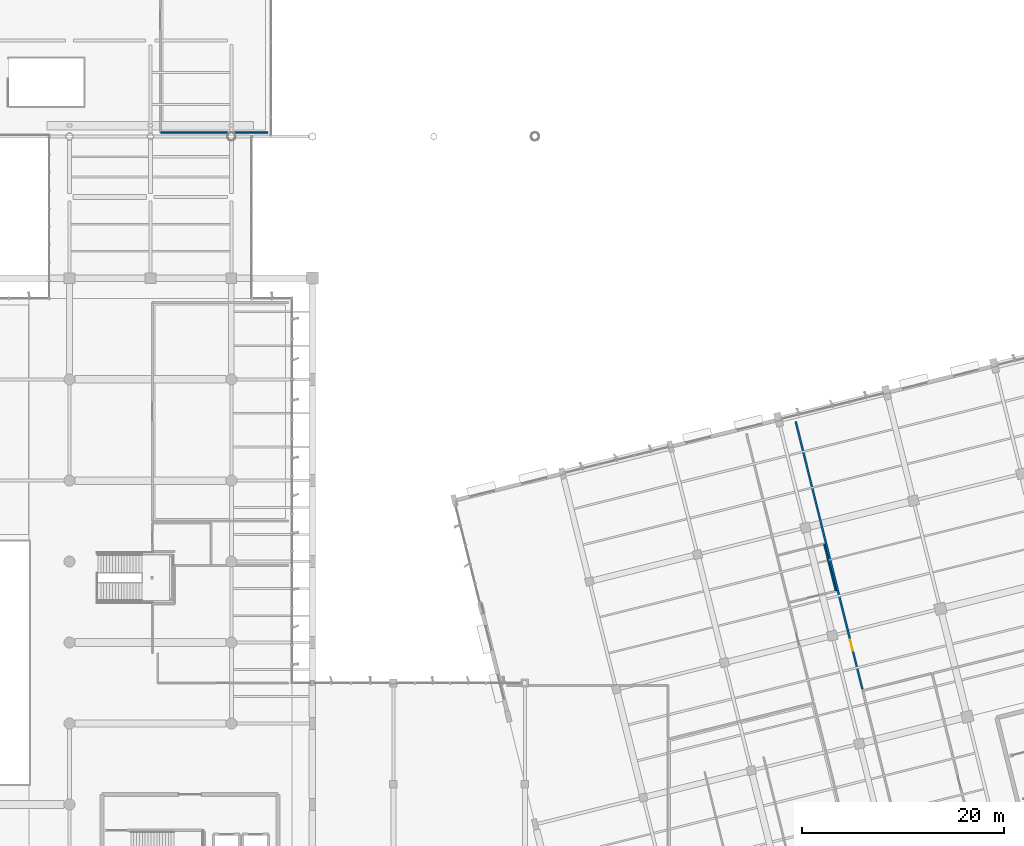
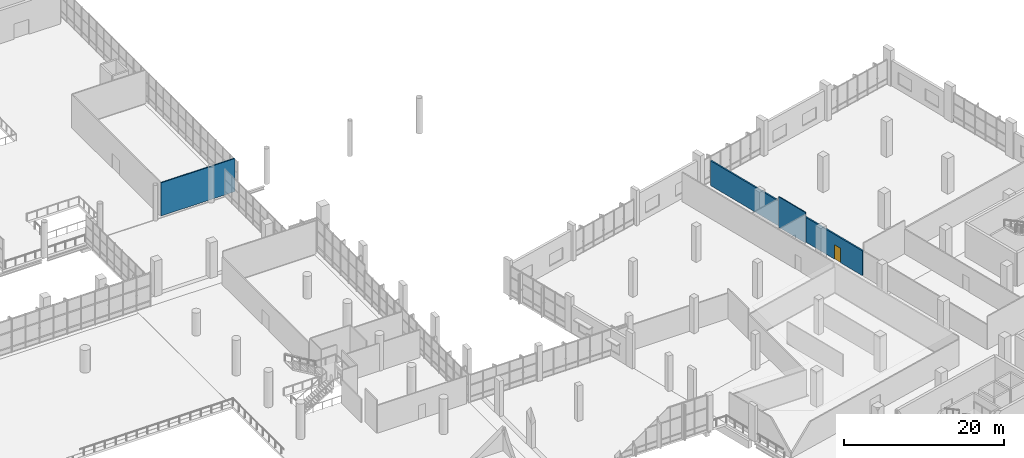
# One storey, part 147 of 176: 3 walls, 1 door, 1 opening.
"""IFC4 building model written with IfcOpenShell, lengths in metres."""

import ifcopenshell
import ifcopenshell.guid

model = None  # the IFC model being written
_history = None  # IfcOwnerHistory: only IFC2X3 demands one
_inside = {}  # id of a spatial element -> (the spatial element, [elements in it])
_under = {}  # id of a project, library or spatial element -> (it, [spatial elements below it])
_declared = {}  # id of a project -> (the project, [libraries it declares])
_typed = {}  # id of a type object -> (the type object, [elements of that type])
_made_of = {}  # id of a material, layer set ... -> (it, [elements and type objects made of it])


def new_model(schema):
    """Start an empty IFC model of exactly this schema.

    Asked for "IFC4X3", IfcOpenShell would pick the latest addendum, in which some entities
    have other attributes; the version numbers below select the first issue.
    IFC2X3 requires an IfcOwnerHistory on every rooted entity: one is made here for all.
    """
    global model, _history
    if schema == "IFC4X3":
        model = ifcopenshell.file(schema_version=(4, 3, 0, 0))
    else:
        model = ifcopenshell.file(schema=schema)
    _inside.clear()
    _under.clear()
    _declared.clear()
    _typed.clear()
    _made_of.clear()
    _history = None
    if model.schema == "IFC2X3":
        org = make("IfcOrganization", Name="unknown")
        user = make(
            "IfcPersonAndOrganization",
            ThePerson=make("IfcPerson", FamilyName="unknown"),
            TheOrganization=org,
        )
        app = make(
            "IfcApplication",
            ApplicationDeveloper=org,
            Version="unknown",
            ApplicationFullName="unknown",
            ApplicationIdentifier="unknown",
        )
        _history = make(
            "IfcOwnerHistory",
            OwningUser=user,
            OwningApplication=app,
            ChangeAction="ADDED",
            CreationDate=0,
        )
    return model


def make(cls, **values):
    """One entity of the class cls with the attributes given. An attribute that is None is left unset."""
    return model.create_entity(
        cls, **{name: value for name, value in values.items() if value is not None}
    )


def rooted(cls, **values):
    """An entity with a GlobalId (a new one), such as an element, a storey or a relation."""
    return make(cls, GlobalId=ifcopenshell.guid.new(), OwnerHistory=_history, **values)


def si_unit(unit_type, name, prefix=None):
    """IfcSIUnit, for example si_unit("LENGTHUNIT", "METRE", prefix="MILLI")."""
    return make("IfcSIUnit", UnitType=unit_type, Prefix=prefix, Name=name)


def assignment(units):
    """IfcUnitAssignment: the units of a project."""
    return None if units is None else make("IfcUnitAssignment", Units=units)


def point(xyz):
    """IfcCartesianPoint."""
    return None if xyz is None else make("IfcCartesianPoint", Coordinates=xyz)


def direction(xyz):
    """IfcDirection."""
    return None if xyz is None else make("IfcDirection", DirectionRatios=xyz)


def frame(location, z_axis=None, x_axis=None):
    """IfcAxis2Placement3D, a coordinate frame: its origin and axes. An axis left out is left unset."""
    return make(
        "IfcAxis2Placement3D",
        Location=point(location),
        Axis=direction(z_axis),
        RefDirection=direction(x_axis),
    )


def frame_2d(location, x_axis=None):
    """IfcAxis2Placement2D, a coordinate frame in the plane: its origin and x axis."""
    return make(
        "IfcAxis2Placement2D", Location=point(location), RefDirection=direction(x_axis)
    )


def origin():
    """The frame at (0, 0, 0) with its axes left unset."""
    return frame((0.0, 0.0, 0.0))


def place(relative_to, where):
    """IfcLocalPlacement: puts the frame where relative to a parent placement (None: the world)."""
    return make(
        "IfcLocalPlacement", PlacementRelTo=relative_to, RelativePlacement=where
    )


def context(
    kind, dimensions, precision=None, world=None, true_north=None, identifier=None
):
    """IfcGeometricRepresentationContext, for example the 3D "Model" context."""
    return make(
        "IfcGeometricRepresentationContext",
        ContextIdentifier=identifier,
        ContextType=kind,
        CoordinateSpaceDimension=dimensions,
        Precision=precision,
        WorldCoordinateSystem=world,
        TrueNorth=true_north,
    )


def subcontext(parent, identifier, kind, view, scale=None):
    """IfcGeometricRepresentationSubContext, for example "Body" below "Model"."""
    return make(
        "IfcGeometricRepresentationSubContext",
        ContextIdentifier=identifier,
        ContextType=kind,
        ParentContext=parent,
        TargetScale=scale,
        TargetView=view,
    )


def project(units=None, contexts=None):
    """IfcProject with its units and contexts."""
    return rooted(
        "IfcProject",
        Name="project",
        RepresentationContexts=contexts,
        UnitsInContext=assignment(units),
    )


def spatial(cls, under=None, at=None, **own):
    """A site, building, storey or space (cls), placed at a placement, below another one or the project."""
    s = rooted(cls, ObjectPlacement=at, **own)
    if under is not None:
        _under.setdefault(under.id(), (under, []))[1].append(s)
    return s


def profile(cls, at=None, kind="AREA", **sizes):
    """A parametric profile (cls). Its sizes go by their IFC names, for example OverallWidth=200.0."""
    return make(cls, ProfileType=kind, Position=at, **sizes)


def rectangle(**sizes):
    """IfcRectangleProfileDef."""
    return profile("IfcRectangleProfileDef", **sizes)


def extrude(swept, where, along, depth):
    """IfcExtrudedAreaSolid: the profile swept, set in the frame where, extruded along a direction by depth."""
    return make(
        "IfcExtrudedAreaSolid",
        SweptArea=swept,
        Position=where,
        ExtrudedDirection=direction(along),
        Depth=depth,
    )


def shape(context_of_items, identifier, shape_type, items):
    """IfcShapeRepresentation: the items that make up one representation, for example the "Body"."""
    return make(
        "IfcShapeRepresentation",
        ContextOfItems=context_of_items,
        RepresentationIdentifier=identifier,
        RepresentationType=shape_type,
        Items=items,
    )


def material(Name=None, Category=None):
    """IfcMaterial."""
    return make("IfcMaterial", Name=Name, Category=Category)


def layer(
    of_material, thickness, ventilated=None, Name=None, Category=None, Priority=None
):
    """IfcMaterialLayer: one layer of a wall or slab, of a material (None: an air gap)."""
    return make(
        "IfcMaterialLayer",
        Material=of_material,
        LayerThickness=thickness,
        IsVentilated=ventilated,
        Name=Name,
        Category=Category,
        Priority=Priority,
    )


def layer_set(layers, Name=None):
    """IfcMaterialLayerSet."""
    return make("IfcMaterialLayerSet", MaterialLayers=layers, LayerSetName=Name)


def made_of(thing, what):
    """Note that an element or type object is made of a material, layer set ...; save() writes the relation."""
    if what is not None:
        _made_of.setdefault(what.id(), (what, []))[1].append(thing)
    return thing


def type_object(cls, material=None, **own):
    """A type object (cls), such as IfcWallType, which elements share."""
    return made_of(rooted(cls, **own), material)


def element(
    cls,
    number,
    at=None,
    inside=None,
    cuts=None,
    type_object=None,
    material=None,
    context=None,
    identifier="Body",
    shape_type=None,
    held_by="IfcProductDefinitionShape",
    body=None,
    shapes=None,
    **own,
):
    """One element of the class cls, such as IfcWall. Its Tag is "e" and its number.

    at: its placement. inside: the storey or other place that contains it. cuts: it is an
    opening in that element (IfcRelVoidsElement). A single representation is given by context,
    identifier, shape_type and body (its items); several are given by shapes. held_by: the class
    of the entity that holds the representations. save() writes the other relations.
    """
    e = rooted(cls, Tag="e%d" % number, ObjectPlacement=at, **own)
    if body is not None:
        shapes = [shape(context, identifier, shape_type, body)]
    if shapes is not None:
        e.Representation = make(held_by, Representations=shapes)
    if inside is not None:
        _inside.setdefault(inside.id(), (inside, []))[1].append(e)
    if cuts is not None:
        rooted(
            "IfcRelVoidsElement", RelatingBuildingElement=cuts, RelatedOpeningElement=e
        )
    if type_object is not None:
        _typed.setdefault(type_object.id(), (type_object, []))[1].append(e)
    return made_of(e, material)


def fill(opening, filler):
    """IfcRelFillsElement: the door or window that sits in an opening."""
    return rooted(
        "IfcRelFillsElement",
        RelatingOpeningElement=opening,
        RelatedBuildingElement=filler,
    )


def aggregate(whole, parts):
    """IfcRelAggregates: a whole, such as a stair, and the parts it consists of."""
    return rooted("IfcRelAggregates", RelatingObject=whole, RelatedObjects=parts)


def save(model, path):
    """Write the relations noted so far, then the file.

    IfcRelAggregates (storeys below a building ...), IfcRelContainedInSpatialStructure (elements
    in a storey), IfcRelDefinesByType, IfcRelAssociatesMaterial and IfcRelDeclares: one each for
    every whole, place, type object, material and project.
    """
    for whole, parts in _under.values():
        aggregate(whole, parts)
    for where, things in _inside.values():
        rooted(
            "IfcRelContainedInSpatialStructure",
            RelatedElements=things,
            RelatingStructure=where,
        )
    for kind, things in _typed.values():
        rooted("IfcRelDefinesByType", RelatedObjects=things, RelatingType=kind)
    for what, things in _made_of.values():
        rooted("IfcRelAssociatesMaterial", RelatedObjects=things, RelatingMaterial=what)
    for by, libraries in _declared.values():
        rooted("IfcRelDeclares", RelatingContext=by, RelatedDefinitions=libraries)
    model.write(path)


model = new_model("IFC4")

# Units and contexts
model_context = context("Model", 3, precision=1e-05, world=origin(), true_north=direction((0.0, 1.0)))
body_context = subcontext(model_context, "Body", "Model", "MODEL_VIEW")
ifc_project = project(units=[si_unit("LENGTHUNIT", "METRE"), si_unit("AREAUNIT", "SQUARE_METRE"), si_unit("VOLUMEUNIT", "CUBIC_METRE"), si_unit("PLANEANGLEUNIT", "RADIAN"), si_unit("MASSUNIT", "GRAM", prefix="KILO")], contexts=[model_context])

# Site, building, storey
site_placement = place(None, origin())
site = spatial("IfcSite", under=ifc_project, at=site_placement, CompositionType="ELEMENT")
building_placement = place(site_placement, origin())
building = spatial("IfcBuilding", under=site, at=building_placement, Name="Khorjan Park Terminus", CompositionType="ELEMENT")
storey_placement = place(building_placement, frame((0.0, 0.0, 6.0)))
storey = spatial("IfcBuildingStorey", under=building, at=storey_placement, Name="L01", CompositionType="ELEMENT", Elevation=6.0)

# Walls
ifc_material_1 = material(Name="Moisture-Resistant Sanitary Partition")
ifc_layer_1 = layer(ifc_material_1, 0.14)
ifc_layer_set_1 = layer_set([ifc_layer_1], Name="Moisture-Resistant Sanitary Partition")
wall_type_1 = type_object("IfcWallType", Name="PT-14", PredefinedType="PARTITIONING", material=ifc_layer_set_1)
wall_1_placement = place(storey_placement, frame((186.5563, 61.7478, 0.0), z_axis=(0.0, 0.0, 1.0), x_axis=(0.241917925609, -0.970296716097, 0.0)))
element("IfcWall", 1, at=wall_1_placement, inside=storey, type_object=wall_type_1, Name="Interior acoustic partition PT-14 (L01-AWC)", PredefinedType="PARTITIONING", context=body_context, shape_type="SweptSolid", body=[
    extrude(rectangle(XDim=4.8, YDim=0.14, at=frame_2d((2.4, 0.0))), origin(), (0.0, 0.0, 1.0), 4.635),
])
ifc_material_2 = material(Name="Insulated Metal-Stud Acoustic Partition")
ifc_layer_2 = layer(ifc_material_2, 0.16)
ifc_layer_set_2 = layer_set([ifc_layer_2], Name="Insulated Metal-Stud Acoustic Partition")
wall_type_2 = type_object("IfcWallType", Name="PT-16", PredefinedType="PARTITIONING", material=ifc_layer_set_2)
wall_2_placement = place(storey_placement, frame((131.6, 102.4, 0.0), z_axis=(0.0, 0.0, 1.0), x_axis=(-1.0, 0.0, 0.0)))
element("IfcWall", 2, at=wall_2_placement, inside=storey, type_object=wall_type_2, Name="Interior acoustic partition PT-16 (L01-GTL)", PredefinedType="PARTITIONING", context=body_context, shape_type="SweptSolid", body=[
    extrude(rectangle(XDim=10.6, YDim=0.16, at=frame_2d((5.3, 0.0))), origin(), (0.0, 0.0, 1.0), 5.05),
])

# Wall, opening, door
ifc_material_3 = material(Name="Fire-Rated Acoustic Masonry & Drywall", Category="masonry")
ifc_layer_3 = layer(ifc_material_3, 0.2)
ifc_layer_set_3 = layer_set([ifc_layer_3], Name="Fire-Rated Acoustic Masonry & Drywall")
wall_type_3 = type_object("IfcWallType", Name="PT-20", PredefinedType="PARTITIONING", material=ifc_layer_set_3)
wall_3_placement = place(storey_placement, frame((190.3453, 47.3775, 0.0), z_axis=(0.0, 0.0, 1.0), x_axis=(-0.241921879243, 0.970295730354, 0.0)))
wall_3 = element("IfcWall", 3, at=wall_3_placement, inside=storey, type_object=wall_type_3, Name="Interior acoustic partition PT-20 (L01-AHU1)", PredefinedType="PARTITIONING", context=body_context, shape_type="SweptSolid", body=[
    extrude(rectangle(XDim=27.26, YDim=0.2, at=frame_2d((13.63, 0.0))), origin(), (0.0, 0.0, 1.0), 3.785),
])
opening_placement = place(wall_3_placement, frame((3.924, 0.0, 0.0)))
opening = element("IfcOpeningElement", 4, at=opening_placement, cuts=wall_3, Name="Opening FD-11", PredefinedType="OPENING", context=body_context, shape_type="SweptSolid", body=[
    extrude(rectangle(XDim=1.1, YDim=2.2, at=frame_2d((0.55, 1.1))), frame((0.0, 0.11, 0.0), z_axis=(0.0, -1.0, 0.0), x_axis=(1.0, 0.0, 0.0)), (0.0, 0.0, 1.0), 0.22),
])
ifc_material_4 = material(Name="Fire-Rated Steel Single Door", Category="steel")
door_type = type_object("IfcDoorType", Name="FD-11", OperationType="NOTDEFINED", PredefinedType="DOOR", material=ifc_material_4)
door_placement = place(opening_placement, origin())
door = element("IfcDoor", 5, at=door_placement, inside=storey, type_object=door_type, Name="Interior door FD-11 (L01-AHU1)", OperationType="SINGLE_SWING_RIGHT", OverallHeight=2.2, OverallWidth=1.1, PredefinedType="DOOR", context=body_context, shape_type="SweptSolid", body=[
    extrude(rectangle(XDim=1.1, YDim=2.2, at=frame_2d((0.55, 1.1))), frame((0.0, 0.025, 0.0), z_axis=(0.0, -1.0, 0.0), x_axis=(1.0, 0.0, 0.0)), (0.0, 0.0, 1.0), 0.05),
])
fill(opening, door)

save(model, "model.ifc")
